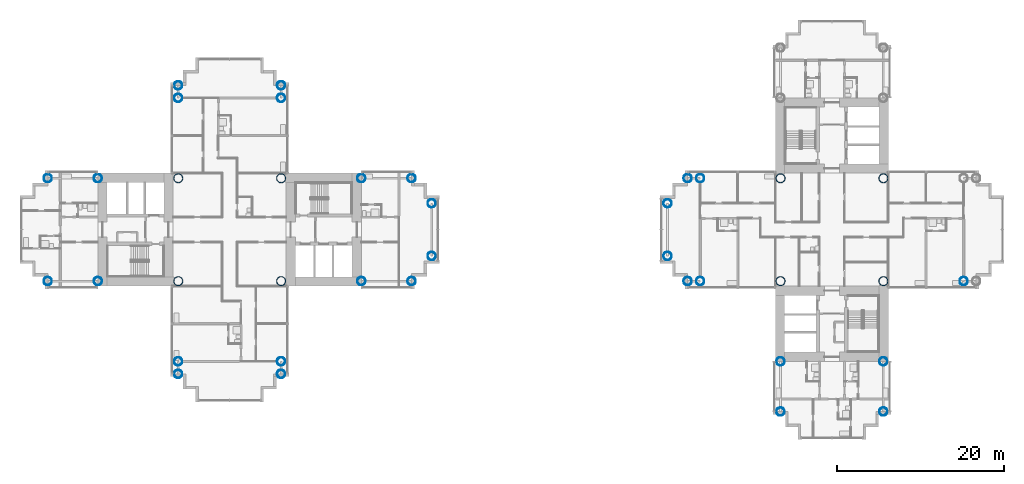
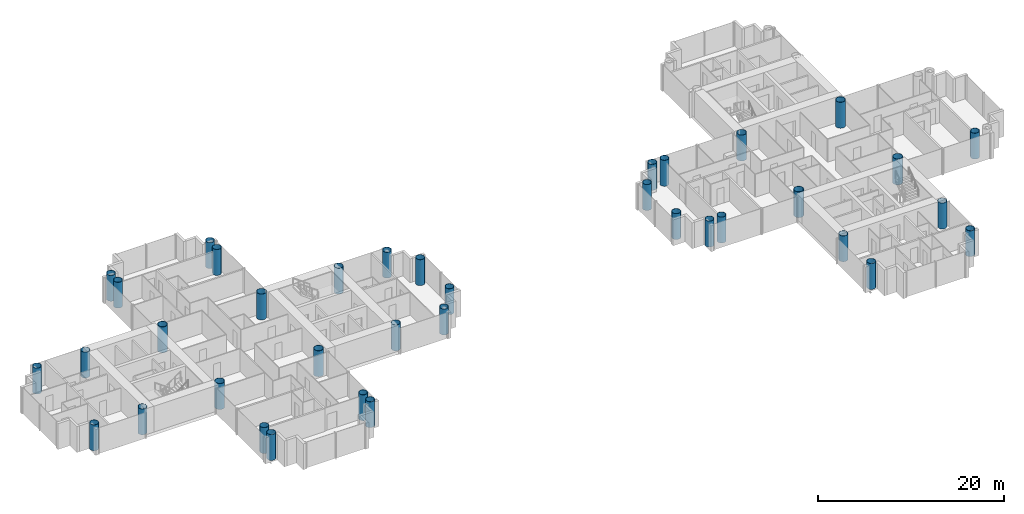
# One storey, part 1 of 21: 37 columns.
"""IFC4 building model written with IfcOpenShell, lengths in metres."""

from ifc_helpers import new_model, si_unit, direction, frame, origin, origin_2d, place, context, subcontext, project, spatial, hollow_circle, extrude, material, material_profile, profile_set, type_object, element, save


model = new_model("IFC4")

# Units and contexts
model_context = context("Model", 3, precision=1e-05, world=origin(), true_north=direction((0.0, 1.0)))
body_context = subcontext(model_context, "Body", "Model", "MODEL_VIEW")
ifc_project = project(units=[si_unit("LENGTHUNIT", "METRE"), si_unit("AREAUNIT", "SQUARE_METRE"), si_unit("VOLUMEUNIT", "CUBIC_METRE"), si_unit("PLANEANGLEUNIT", "RADIAN"), si_unit("MASSUNIT", "GRAM", prefix="KILO")], contexts=[model_context])

# Site, building, storey
site_placement = place(None, origin())
site = spatial("IfcSite", under=ifc_project, at=site_placement, CompositionType="ELEMENT")
building_placement = place(site_placement, origin())
building = spatial("IfcBuilding", under=site, at=building_placement, Name="Ipe Terrace Towers", CompositionType="ELEMENT")
storey_placement = place(building_placement, frame((0.0, 0.0, 48.300048828125)))
storey = spatial("IfcBuildingStorey", under=building, at=storey_placement, Name="L12", CompositionType="ELEMENT", Elevation=48.300048828125)

# Columns
ifc_material_1 = material(Name="Steel S355 tube with Concrete C60/75 fill", Category="concrete")
ifc_material_profile_1 = material_profile(ifc_material_1, hollow_circle(Radius=0.5, WallThickness=0.035888671875, at=origin_2d()), Name="CHS-1000x36")
ifc_profile_set_1 = profile_set([ifc_material_profile_1], Name="Steel S355 tube with Concrete C60/75 fill")
column_type_1 = type_object("IfcColumnType", Name="CH01 COLUMN CHS-1000x36", PredefinedType="COLUMN", material=ifc_profile_set_1)
for number, where, z_axis, x_axis, name in (
    (1, (-20.25, -6.14990234375, 0.0), (0.0, 0.0, 1.0), (1.0, 0.0, 0.0), "Column T1-C-A01"),
    (2, (-20.25, 6.14990234375, 0.0), (0.0, 0.0, 1.0), (1.0, 0.0, 0.0), "Column T1-C-A02"),
    (3, (-14.25, -6.14990234375, 0.0), (0.0, 0.0, 1.0), (1.0, 0.0, 0.0), "Column T1-C-A03"),
    (4, (-14.25, 6.14990234375, 0.0), (0.0, 0.0, 1.0), (1.0, 0.0, 0.0), "Column T1-C-A04"),
    (5, (-11.85009765625, -3.14990234375, 0.0), (0.0, 0.0, 1.0), (1.0, 0.0, 0.0), "Column T1-C-A05"),
    (6, (-11.85009765625, 3.14990234375, 0.0), (0.0, 0.0, 1.0), (1.0, 0.0, 0.0), "Column T1-C-A06"),
    (7, (-29.85009765625, 15.75, 0.0), (0.0, 0.0, 1.0), (1.0, 0.0, 0.0), "Column T1-C-B03"),
    (8, (-42.14990234375, 15.75, 0.0), (0.0, 0.0, 1.0), (1.0, 0.0, 0.0), "Column T1-C-B04"),
    (9, (-29.85009765625, 17.25, 0.0), (0.0, 0.0, 1.0), (1.0, 0.0, 0.0), "Column T1-C-B05"),
    (10, (-42.14990234375, 17.25, 0.0), (0.0, 0.0, 1.0), (1.0, 0.0, 0.0), "Column T1-C-B06"),
    (11, (-51.75, -6.14990234375, 0.0), (0.0, 0.0, 1.0), (1.0, 0.0, 0.0), "Column T1-C-C01"),
    (12, (-51.75, 6.14990234375, 0.0), (0.0, 0.0, 1.0), (1.0, 0.0, 0.0), "Column T1-C-C02"),
    (13, (-57.75, -6.14990234375, 0.0), (0.0, 0.0, 1.0), (1.0, 0.0, 0.0), "Column T1-C-C03"),
    (14, (-57.75, 6.14990234375, 0.0), (0.0, 0.0, 1.0), (1.0, 0.0, 0.0), "Column T1-C-C04"),
    (15, (-42.14990234375, -15.75, 0.0), (0.0, 0.0, 1.0), (1.0, 0.0, 0.0), "Column T1-C-D03"),
    (16, (-29.85009765625, -15.75, 0.0), (0.0, 0.0, 1.0), (1.0, 0.0, 0.0), "Column T1-C-D04"),
    (17, (-42.14990234375, -17.25, 0.0), (0.0, 0.0, 1.0), (1.0, 0.0, 0.0), "Column T1-C-D05"),
    (18, (-29.85009765625, -17.25, 0.0), (0.0, 0.0, 1.0), (1.0, 0.0, 0.0), "Column T1-C-D06"),
    (19, (20.25, 6.14990234375, 0.0), (0.0, 0.0, 1.0), (1.0, 0.0, 0.0), "Column T2-C-B03"),
    (20, (20.25, -6.14990234375, 0.0), (0.0, 0.0, 1.0), (1.0, 0.0, 0.0), "Column T2-C-B04"),
    (21, (18.75, 6.14990234375, 0.0), (0.0, 0.0, 1.0), (1.0, 0.0, 0.0), "Column T2-C-B05"),
    (22, (18.75, -6.14990234375, 0.0), (0.0, 0.0, 1.0), (1.0, 0.0, 0.0), "Column T2-C-B06"),
    (23, (16.35009765625, 3.14990234375, 0.0), (0.0, 0.0, 1.0), (1.0, 0.0, 0.0), "Column T2-C-B07"),
    (24, (16.35009765625, -3.14990234375, 0.0), (0.0, 0.0, 1.0), (1.0, 0.0, 0.0), "Column T2-C-B08"),
    (25, (42.14990234375, -15.75, 0.0), (0.0, 0.0, 1.0), (1.0, 0.0, 0.0), "Column T2-C-C01"),
    (26, (29.85009765625, -15.75, 0.0), (0.0, 0.0, 1.0), (1.0, 0.0, 0.0), "Column T2-C-C02"),
    (27, (42.14990234375, -21.75, 0.0), (0.0, 0.0, 1.0), (1.0, 0.0, 0.0), "Column T2-C-C03"),
    (28, (29.85009765625, -21.75, 0.0), (0.0, 0.0, 1.0), (1.0, 0.0, 0.0), "Column T2-C-C04"),
    (29, (51.75, -6.14990234375, 0.0), (0.0, 0.0, 1.0), (1.0, 0.0, 0.0), "Column T2-C-D03"),
):
    element("IfcColumn", number, at=place(storey_placement, frame(where, z_axis=z_axis, x_axis=x_axis)), inside=storey, type_object=column_type_1, Name=name, PredefinedType="COLUMN", context=body_context, shape_type="SweptSolid", body=[
        extrude(hollow_circle(Radius=0.5, WallThickness=0.035888671875, at=origin_2d()), origin(), (0.0, 0.0, 1.0), 3.39990234375),
    ])
ifc_material_2 = material(Name="Steel S355 tube with Concrete C60/75 fill", Category="concrete")
ifc_material_profile_2 = material_profile(ifc_material_2, hollow_circle(Radius=0.550048828125, WallThickness=0.0400390625, at=origin_2d()), Name="CHS-1100x40")
ifc_profile_set_2 = profile_set([ifc_material_profile_2], Name="Steel S355 tube with Concrete C60/75 fill")
column_type_2 = type_object("IfcColumnType", Name="CH02 COLUMN CHS-1100x40", PredefinedType="COLUMN", material=ifc_profile_set_2)
for number, where, z_axis, x_axis, name in (
    (30, (-42.14990234375, -6.14990234375, 0.0), (0.0, 0.0, 1.0), (1.0, 0.0, 0.0), "Column T1-C-E01"),
    (31, (-29.85009765625, -6.14990234375, 0.0), (0.0, 0.0, 1.0), (1.0, 0.0, 0.0), "Column T1-C-E02"),
    (32, (-29.85009765625, 6.14990234375, 0.0), (0.0, 0.0, 1.0), (1.0, 0.0, 0.0), "Column T1-C-E03"),
    (33, (-42.14990234375, 6.14990234375, 0.0), (0.0, 0.0, 1.0), (1.0, 0.0, 0.0), "Column T1-C-E04"),
    (34, (42.14990234375, -6.14990234375, 0.0), (0.0, 0.0, 1.0), (1.0, 0.0, 0.0), "Column T2-C-E01"),
    (35, (42.14990234375, 6.14990234375, 0.0), (0.0, 0.0, 1.0), (1.0, 0.0, 0.0), "Column T2-C-E02"),
    (36, (29.85009765625, 6.14990234375, 0.0), (0.0, 0.0, 1.0), (1.0, 0.0, 0.0), "Column T2-C-E03"),
    (37, (29.85009765625, -6.14990234375, 0.0), (0.0, 0.0, 1.0), (1.0, 0.0, 0.0), "Column T2-C-E04"),
):
    element("IfcColumn", number, at=place(storey_placement, frame(where, z_axis=z_axis, x_axis=x_axis)), inside=storey, type_object=column_type_2, Name=name, PredefinedType="COLUMN", context=body_context, shape_type="SweptSolid", body=[
        extrude(hollow_circle(Radius=0.550048828125, WallThickness=0.0400390625, at=origin_2d()), origin(), (0.0, 0.0, 1.0), 3.39990234375),
    ])

save(model, "model.ifc")
